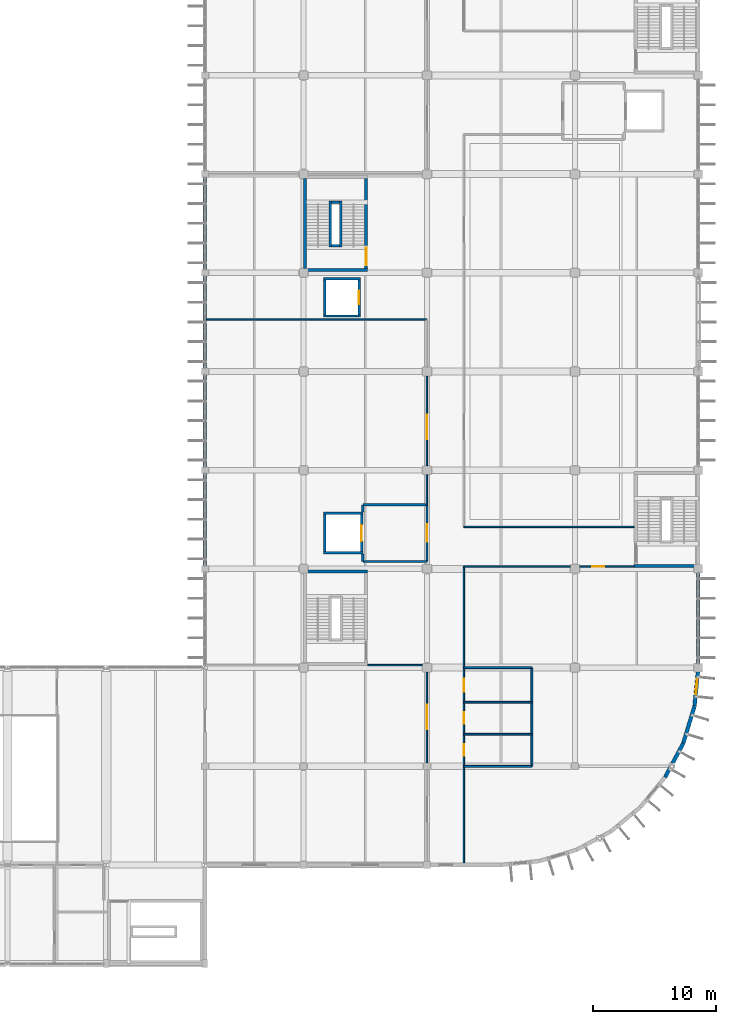
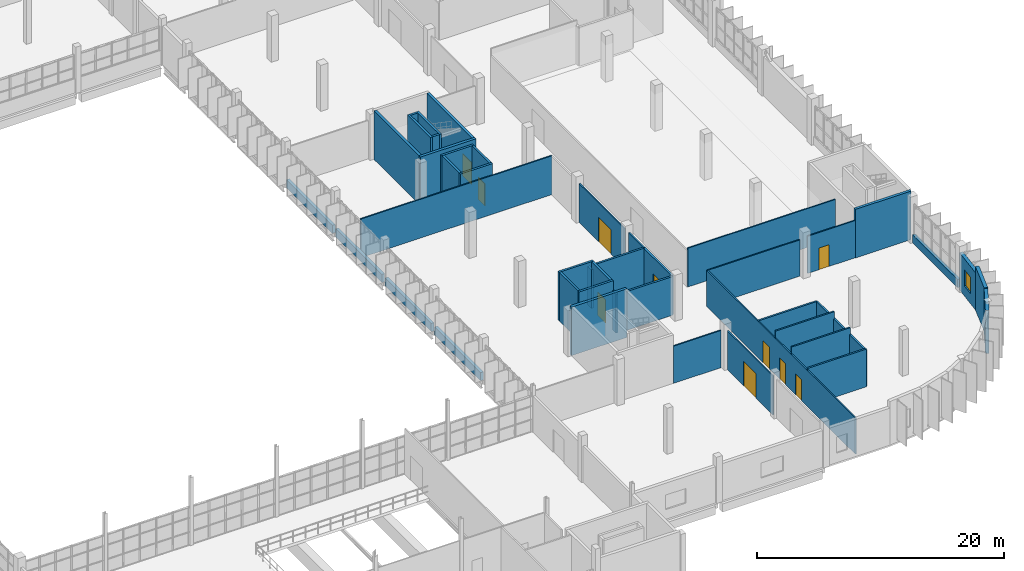
# One storey, part 74 of 93: 44 walls, 10 doors, 1 window, 11 openings.
"""IFC4 building model written with IfcOpenShell, lengths in metres."""

from ifc_helpers import new_model, si_unit, direction, frame, frame_2d, origin, place, context, subcontext, project, spatial, rectangle, extrude, material, layer, layer_set, type_object, element, fill, save


model = new_model("IFC4")

# Units and contexts
model_context = context("Model", 3, precision=1e-05, world=origin(), true_north=direction((0.0, 1.0)))
body_context = subcontext(model_context, "Body", "Model", "MODEL_VIEW")
ifc_project = project(units=[si_unit("LENGTHUNIT", "METRE"), si_unit("AREAUNIT", "SQUARE_METRE"), si_unit("VOLUMEUNIT", "CUBIC_METRE"), si_unit("PLANEANGLEUNIT", "RADIAN"), si_unit("MASSUNIT", "GRAM", prefix="KILO")], contexts=[model_context])

# Site, building, storey
site_placement = place(None, origin())
site = spatial("IfcSite", under=ifc_project, at=site_placement, CompositionType="ELEMENT")
building_placement = place(site_placement, origin())
building = spatial("IfcBuilding", under=site, at=building_placement, Name="Drelvana Railside Aquatics Centre", CompositionType="ELEMENT")
storey_placement = place(building_placement, frame((0.0, 0.0, 5.39990234375)))
storey = spatial("IfcBuildingStorey", under=building, at=storey_placement, Name="L01", CompositionType="ELEMENT", Elevation=5.39990234375)

# Walls
ifc_material_1 = material(Name="Concrete blockwork compartment wall", Category="masonry")
ifc_layer_1 = layer(ifc_material_1, 0.18505859375, Name="Concrete blockwork compartment wall")
ifc_layer_set_1 = layer_set([ifc_layer_1], Name="Concrete blockwork compartment wall")
wall_type_1 = type_object("IfcWallType", Name="WL-COMP-185", PredefinedType="STANDARD", material=ifc_layer_set_1)
for number, where, z_axis, x_axis, name in (
    (1, (162.0, 32.60009765625, 0.0), (0.0, 0.0, 1.0), (-1.0, 0.0, 0.0), "Firefighting lobby FL-01 S wall (L01)"),
    (2, (156.800048828125, 37.199951171875, 0.0), (0.0, 0.0, 1.0), (1.0, 0.0, 0.0), "Firefighting lobby FL-01 N wall (L01)"),
):
    element("IfcWall", number, at=place(storey_placement, frame(where, z_axis=z_axis, x_axis=x_axis)), inside=storey, type_object=wall_type_1, Name=name, PredefinedType="STANDARD", context=body_context, shape_type="SweptSolid", body=[
        extrude(rectangle(XDim=5.199951171875, YDim=0.18505859375, at=frame_2d((2.60009765625, 0.0))), origin(), (0.0, 0.0, 1.0), 3.830078125),
    ])

# Wall, opening, door
wall_1_placement = place(storey_placement, frame((162.0, 32.60009765625, 0.0), z_axis=(0.0, 0.0, 1.0), x_axis=(0.0, 1.0, 0.0)))
wall_1 = element("IfcWall", 3, at=wall_1_placement, inside=storey, type_object=wall_type_1, Name="Firefighting lobby FL-01 COR wall (L01)", PredefinedType="STANDARD", context=body_context, shape_type="SweptSolid", body=[
    extrude(rectangle(XDim=4.599853515625, YDim=0.18505859375, at=frame_2d((2.2998046875, 0.0))), origin(), (0.0, 0.0, 1.0), 3.830078125),
])
opening_1_placement = place(wall_1_placement, frame((1.60009765625, 0.0, 0.0)))
opening_1 = element("IfcOpeningElement", 4, at=opening_1_placement, cuts=wall_1, Name="Opening D-03-046", PredefinedType="OPENING", context=body_context, shape_type="SweptSolid", body=[
    extrude(rectangle(XDim=1.39990234375, YDim=2.199951171875, at=frame_2d((0.699951171875, 1.10009765625))), frame((0.0, 0.1025390625, 0.0), z_axis=(0.0, -1.0, 0.0), x_axis=(1.0, 0.0, 0.0)), (0.0, 0.0, 1.0), 0.205078125),
])
ifc_material_2 = material(Name="Firefighting lobby door", Category="wood")
door_type_1 = type_object("IfcDoorType", Name="DR-INT-FFLOB-1400x2200", OperationType="DOUBLE_DOOR_SINGLE_SWING", PredefinedType="DOOR", material=ifc_material_2)
door_1_placement = place(opening_1_placement, origin())
door_1 = element("IfcDoor", 5, at=door_1_placement, inside=storey, type_object=door_type_1, Name="Firefighting lobby FL-01 door D-03-046", OperationType="DOUBLE_DOOR_SINGLE_SWING", OverallHeight=2.199951171875, OverallWidth=1.39990234375, PredefinedType="DOOR", context=body_context, shape_type="SweptSolid", body=[
    extrude(rectangle(XDim=1.39990234375, YDim=2.199951171875, at=frame_2d((0.699951171875, 1.10009765625))), frame((0.0, 0.02490234375, 0.0), z_axis=(0.0, -1.0, 0.0), x_axis=(1.0, 0.0, 0.0)), (0.0, 0.0, 1.0), 0.050048828125),
])
fill(opening_1, door_1)

# Walls
for number, where, z_axis, x_axis, name in (
    (6, (156.800048828125, 32.60009765625, 0.0), (0.0, 0.0, 1.0), (0.0, 1.0, 0.0), "Firefighting lobby FL-01 SHS wall (L01)"),
    (7, (156.800048828125, 36.60009765625, 0.0), (0.0, 0.0, 1.0), (0.0, 1.0, 0.0), "Firefighting lobby FL-01 SHN wall (L01)"),
):
    element("IfcWall", number, at=place(storey_placement, frame(where, z_axis=z_axis, x_axis=x_axis)), inside=storey, type_object=wall_type_1, Name=name, PredefinedType="STANDARD", context=body_context, shape_type="SweptSolid", body=[
        extrude(rectangle(XDim=0.599853515625, YDim=0.18505859375, at=frame_2d((0.2998046875, 0.0))), origin(), (0.0, 0.0, 1.0), 3.830078125),
    ])
ifc_material_3 = material(Name="Concrete C40/50", Category="concrete")
ifc_layer_2 = layer(ifc_material_3, 0.25, Name="Concrete C40/50")
ifc_layer_set_2 = layer_set([ifc_layer_2], Name="Concrete C40/50")
wall_type_2 = type_object("IfcWallType", Name="WL-CORE-250", PredefinedType="SHEAR", material=ifc_layer_set_2)
for number, where, z_axis, x_axis, name in (
    (8, (152.0, 31.77490234375, 0.0), (0.0, 0.0, 1.0), (1.0, 0.0, 0.0), "Core 6 Federation Wing Court-West N core wall (L01)"),
    (9, (152.0, 56.22509765625, 0.0), (0.0, 0.0, 1.0), (1.0, 0.0, 0.0), "Core 8 Federation Wing Central-West S core wall (L01)"),
):
    element("IfcWall", number, at=place(storey_placement, frame(where, z_axis=z_axis, x_axis=x_axis)), inside=storey, type_object=wall_type_2, Name=name, PredefinedType="SHEAR", context=body_context, shape_type="SweptSolid", body=[
        extrude(rectangle(XDim=5.199951171875, YDim=0.25, at=frame_2d((2.60009765625, 0.0))), origin(), (0.0, 0.0, 1.0), 4.800048828125),
    ])
wall_2_placement = place(storey_placement, frame((152.125, 56.35009765625, 0.0), z_axis=(0.0, 0.0, 1.0), x_axis=(0.0, 1.0, 0.0)))
element("IfcWall", 10, at=wall_2_placement, inside=storey, type_object=wall_type_2, Name="Core 8 Federation Wing Central-West W core wall (L01)", PredefinedType="SHEAR", context=body_context, shape_type="SweptSolid", body=[
    extrude(rectangle(XDim=7.2998046875, YDim=0.25, at=frame_2d((3.64990234375, 0.0))), origin(), (0.0, 0.0, 1.0), 4.800048828125),
])

# Wall, opening, door
wall_3_placement = place(storey_placement, frame((157.074951171875, 56.35009765625, 0.0), z_axis=(0.0, 0.0, 1.0), x_axis=(0.0, 1.0, 0.0)))
wall_3 = element("IfcWall", 11, at=wall_3_placement, inside=storey, type_object=wall_type_2, Name="Core 8 Federation Wing Central-West E core wall (L01)", PredefinedType="SHEAR", context=body_context, shape_type="SweptSolid", body=[
    extrude(rectangle(XDim=7.2998046875, YDim=0.25, at=frame_2d((3.64990234375, 0.0))), origin(), (0.0, 0.0, 1.0), 4.800048828125),
])
opening_2_placement = place(wall_3_placement, frame((0.25, 0.0, 0.0)))
opening_2 = element("IfcOpeningElement", 12, at=opening_2_placement, cuts=wall_3, Name="Opening D-01-073", PredefinedType="OPENING", context=body_context, shape_type="SweptSolid", body=[
    extrude(rectangle(XDim=1.449951171875, YDim=2.199951171875, at=frame_2d((0.72509765625, 1.10009765625))), frame((0.0, 0.135009765625, 0.0), z_axis=(0.0, -1.0, 0.0), x_axis=(1.0, 0.0, 0.0)), (0.0, 0.0, 1.0), 0.27001953125),
])
ifc_material_4 = material(Name="Fire-rated steel and vision-panel door", Category="steel")
door_type_2 = type_object("IfcDoorType", Name="DR-INT-STAIR-1450x2200", OperationType="DOUBLE_DOOR_SINGLE_SWING", PredefinedType="DOOR", material=ifc_material_4)
door_2_placement = place(opening_2_placement, origin())
door_2 = element("IfcDoor", 13, at=door_2_placement, inside=storey, type_object=door_type_2, Name="Stair ST-08 lobby door D-01-073", OperationType="DOUBLE_DOOR_SINGLE_SWING", OverallHeight=2.199951171875, OverallWidth=1.449951171875, PredefinedType="DOOR", context=body_context, shape_type="SweptSolid", body=[
    extrude(rectangle(XDim=1.449951171875, YDim=2.199951171875, at=frame_2d((0.72509765625, 1.10009765625))), frame((0.0, 0.02490234375, 0.0), z_axis=(0.0, -1.0, 0.0), x_axis=(1.0, 0.0, 0.0)), (0.0, 0.0, 1.0), 0.050048828125),
])
fill(opening_2, door_2)

# Wall
wall_4_placement = place(storey_placement, frame((178.800048828125, 32.22509765625, 0.0), z_axis=(0.0, 0.0, 1.0), x_axis=(1.0, 0.0, 0.0)))
element("IfcWall", 14, at=wall_4_placement, inside=storey, type_object=wall_type_2, Name="Core 9 Federation Wing Avenue-South S core wall (L01)", PredefinedType="SHEAR", context=body_context, shape_type="SweptSolid", body=[
    extrude(rectangle(XDim=5.199951171875, YDim=0.25, at=frame_2d((2.60009765625, 0.0))), origin(), (0.0, 0.0, 1.0), 4.800048828125),
])

# Wall, opening, door
ifc_material_5 = material(Name="Acoustic twin-stud gypsum partition", Category="gypsum")
ifc_layer_3 = layer(ifc_material_5, 0.1201171875, Name="Acoustic twin-stud gypsum partition")
ifc_layer_set_3 = layer_set([ifc_layer_3], Name="Acoustic twin-stud gypsum partition")
wall_type_3 = type_object("IfcWallType", Name="WL-DRY-120", PredefinedType="PARTITIONING", material=ifc_layer_set_3)
wall_5_placement = place(storey_placement, frame((162.0, 16.277099609375, 0.0), z_axis=(0.0, 0.0, 1.0), x_axis=(0.0, 1.0, 0.0)))
wall_5 = element("IfcWall", 15, at=wall_5_placement, inside=storey, type_object=wall_type_3, Name="V5 L01 west corridor wall", PredefinedType="PARTITIONING", context=body_context, shape_type="SweptSolid", body=[
    extrude(rectangle(XDim=7.370849609375, YDim=0.1201171875, at=frame_2d((3.685546875, 0.0))), origin(), (0.0, 0.0, 1.0), 3.830078125),
])
opening_3_placement = place(wall_5_placement, frame((2.722900390625, 0.0, 0.0)))
opening_3 = element("IfcOpeningElement", 16, at=opening_3_placement, cuts=wall_5, Name="Opening D-06-211", PredefinedType="OPENING", context=body_context, shape_type="SweptSolid", body=[
    extrude(rectangle(XDim=2.0, YDim=2.39990234375, at=frame_2d((1.0, 1.199951171875))), frame((0.0, 0.070068359375, 0.0), z_axis=(0.0, -1.0, 0.0), x_axis=(1.0, 0.0, 0.0)), (0.0, 0.0, 1.0), 0.14013671875),
])
ifc_material_6 = material(Name="Glazed bronze-aluminium concourse door", Category="aluminium")
door_type_3 = type_object("IfcDoorType", Name="DR-INT-HALL-2000x2400", OperationType="DOUBLE_DOOR_SINGLE_SWING", PredefinedType="DOOR", material=ifc_material_6)
door_3_placement = place(opening_3_placement, origin())
door_3 = element("IfcDoor", 17, at=door_3_placement, inside=storey, type_object=door_type_3, Name="Cardio hall north door D-06-211", OperationType="DOUBLE_DOOR_SINGLE_SWING", OverallHeight=2.39990234375, OverallWidth=2.0, PredefinedType="DOOR", context=body_context, shape_type="SweptSolid", body=[
    extrude(rectangle(XDim=2.0, YDim=2.39990234375, at=frame_2d((1.0, 1.199951171875))), frame((0.0, 0.02490234375, 0.0), z_axis=(0.0, -1.0, 0.0), x_axis=(1.0, 0.0, 0.0)), (0.0, 0.0, 1.0), 0.050048828125),
])
fill(opening_3, door_3)

# Wall
wall_6_placement = place(storey_placement, frame((162.0, 37.199951171875, 0.0), z_axis=(0.0, 0.0, 1.0), x_axis=(0.0, 1.0, 0.0)))
element("IfcWall", 18, at=wall_6_placement, inside=storey, type_object=wall_type_3, Name="V5 L01 west corridor wall", PredefinedType="PARTITIONING", context=body_context, shape_type="SweptSolid", body=[
    extrude(rectangle(XDim=2.447998046875, YDim=0.1201171875, at=frame_2d((1.22412109375, 0.0))), origin(), (0.0, 0.0, 1.0), 3.830078125),
])

# Wall, opening, door
wall_7_placement = place(storey_placement, frame((162.0, 40.35205078125, 0.0), z_axis=(0.0, 0.0, 1.0), x_axis=(0.0, 1.0, 0.0)))
wall_7 = element("IfcWall", 19, at=wall_7_placement, inside=storey, type_object=wall_type_3, Name="V5 L01 west corridor wall", PredefinedType="PARTITIONING", context=body_context, shape_type="SweptSolid", body=[
    extrude(rectangle(XDim=7.2958984375, YDim=0.1201171875, at=frame_2d((3.64794921875, 0.0))), origin(), (0.0, 0.0, 1.0), 3.830078125),
])
opening_4_placement = place(wall_7_placement, frame((2.14794921875, 0.0, 0.0)))
opening_4 = element("IfcOpeningElement", 20, at=opening_4_placement, cuts=wall_7, Name="Opening D-06-212", PredefinedType="OPENING", context=body_context, shape_type="SweptSolid", body=[
    extrude(rectangle(XDim=2.0, YDim=2.39990234375, at=frame_2d((1.0, 1.199951171875))), frame((0.0, 0.070068359375, 0.0), z_axis=(0.0, -1.0, 0.0), x_axis=(1.0, 0.0, 0.0)), (0.0, 0.0, 1.0), 0.14013671875),
])
door_4_placement = place(opening_4_placement, origin())
door_4 = element("IfcDoor", 21, at=door_4_placement, inside=storey, type_object=door_type_3, Name="Spinning studio door D-06-212", OperationType="DOUBLE_DOOR_SINGLE_SWING", OverallHeight=2.39990234375, OverallWidth=2.0, PredefinedType="DOOR", context=body_context, shape_type="SweptSolid", body=[
    extrude(rectangle(XDim=2.0, YDim=2.39990234375, at=frame_2d((1.0, 1.199951171875))), frame((0.0, 0.02490234375, 0.0), z_axis=(0.0, -1.0, 0.0), x_axis=(1.0, 0.0, 0.0)), (0.0, 0.0, 1.0), 0.050048828125),
])
fill(opening_4, door_4)

# Walls
wall_8_placement = place(storey_placement, frame((157.205078125, 24.199951171875, 0.0), z_axis=(0.0, 0.0, 1.0), x_axis=(1.0, 0.0, 0.0)))
element("IfcWall", 22, at=wall_8_placement, inside=storey, type_object=wall_type_3, Name="V5 L01 C6 alcove SE wall", PredefinedType="PARTITIONING", context=body_context, shape_type="SweptSolid", body=[
    extrude(rectangle(XDim=4.44287109375, YDim=0.1201171875, at=frame_2d((2.221435546875, 0.0))), origin(), (0.0, 0.0, 1.0), 3.68017578125),
])
wall_9_placement = place(storey_placement, frame((144.14990234375, 52.199951171875, 0.0), z_axis=(0.0, 0.0, 1.0), x_axis=(1.0, 0.0, 0.0)))
element("IfcWall", 23, at=wall_9_placement, inside=storey, type_object=wall_type_3, Name="V5 L01 LP-04 alcove S wall", PredefinedType="PARTITIONING", context=body_context, shape_type="SweptSolid", body=[
    extrude(rectangle(XDim=17.85009765625, YDim=0.1201171875, at=frame_2d((8.925048828125, 0.0))), origin(), (0.0, 0.0, 1.0), 3.830078125),
])

# Wall, openings, doors
wall_10_placement = place(storey_placement, frame((165.0, 8.14990234375, 0.0), z_axis=(0.0, 0.0, 1.0), x_axis=(0.0, 1.0, 0.0)))
wall_10 = element("IfcWall", 24, at=wall_10_placement, inside=storey, type_object=wall_type_3, Name="V5 L01 east corridor wall", PredefinedType="PARTITIONING", context=body_context, shape_type="SweptSolid", body=[
    extrude(rectangle(XDim=24.050048828125, YDim=0.1201171875, at=frame_2d((12.02490234375, 0.0))), origin(), (0.0, 0.0, 1.0), 3.580078125),
])
opening_5_placement = place(wall_10_placement, frame((8.699951171875, 0.0, 0.0)))
opening_5 = element("IfcOpeningElement", 25, at=opening_5_placement, cuts=wall_10, Name="Opening D-11-216", PredefinedType="OPENING", context=body_context, shape_type="SweptSolid", body=[
    extrude(rectangle(XDim=0.919921875, YDim=2.10009765625, at=frame_2d((0.4599609375, 1.050048828125))), frame((0.0, 0.070068359375, 0.0), z_axis=(0.0, -1.0, 0.0), x_axis=(1.0, 0.0, 0.0)), (0.0, 0.0, 1.0), 0.14013671875),
])
opening_6_placement = place(wall_10_placement, frame((11.300048828125, 0.0, 0.0)))
opening_6 = element("IfcOpeningElement", 26, at=opening_6_placement, cuts=wall_10, Name="Opening D-11-217", PredefinedType="OPENING", context=body_context, shape_type="SweptSolid", body=[
    extrude(rectangle(XDim=0.919921875, YDim=2.10009765625, at=frame_2d((0.4599609375, 1.050048828125))), frame((0.0, 0.070068359375, 0.0), z_axis=(0.0, -1.0, 0.0), x_axis=(1.0, 0.0, 0.0)), (0.0, 0.0, 1.0), 0.14013671875),
])
opening_7_placement = place(wall_10_placement, frame((13.89990234375, 0.0, 0.0)))
opening_7 = element("IfcOpeningElement", 27, at=opening_7_placement, cuts=wall_10, Name="Opening D-12-218", PredefinedType="OPENING", context=body_context, shape_type="SweptSolid", body=[
    extrude(rectangle(XDim=1.050048828125, YDim=2.14990234375, at=frame_2d((0.52490234375, 1.074951171875))), frame((0.0, 0.070068359375, 0.0), z_axis=(0.0, -1.0, 0.0), x_axis=(1.0, 0.0, 0.0)), (0.0, 0.0, 1.0), 0.14013671875),
])
ifc_material_7 = material(Name="Accessible toilet outward-opening door", Category="wood")
door_type_4 = type_object("IfcDoorType", Name="DR-INT-AWC-1050x2150", OperationType="NOTDEFINED", PredefinedType="DOOR", material=ifc_material_7)
door_5_placement = place(opening_7_placement, origin())
door_5 = element("IfcDoor", 28, at=door_5_placement, inside=storey, type_object=door_type_4, Name="L01 Accessible WC door D-12-218", OperationType="SINGLE_SWING_LEFT", OverallHeight=2.14990234375, OverallWidth=1.050048828125, PredefinedType="DOOR", context=body_context, shape_type="SweptSolid", body=[
    extrude(rectangle(XDim=1.050048828125, YDim=2.14990234375, at=frame_2d((0.52490234375, 1.074951171875))), frame((0.0, 0.02490234375, 0.0), z_axis=(0.0, -1.0, 0.0), x_axis=(1.0, 0.0, 0.0)), (0.0, 0.0, 1.0), 0.050048828125),
])
fill(opening_7, door_5)
ifc_material_8 = material(Name="Moisture-resistant laminate WC door", Category="wood")
door_type_5 = type_object("IfcDoorType", Name="DR-INT-WC-920x2100", OperationType="NOTDEFINED", PredefinedType="DOOR", material=ifc_material_8)
door_6_placement = place(opening_5_placement, origin())
door_6 = element("IfcDoor", 29, at=door_6_placement, inside=storey, type_object=door_type_5, Name="L01 Male WC door D-11-216", OperationType="SINGLE_SWING_LEFT", OverallHeight=2.10009765625, OverallWidth=0.919921875, PredefinedType="DOOR", context=body_context, shape_type="SweptSolid", body=[
    extrude(rectangle(XDim=0.919921875, YDim=2.10009765625, at=frame_2d((0.4599609375, 1.050048828125))), frame((0.0, 0.02490234375, 0.0), z_axis=(0.0, -1.0, 0.0), x_axis=(1.0, 0.0, 0.0)), (0.0, 0.0, 1.0), 0.050048828125),
])
fill(opening_5, door_6)
door_7_placement = place(opening_6_placement, origin())
door_7 = element("IfcDoor", 30, at=door_7_placement, inside=storey, type_object=door_type_5, Name="L01 Female WC door D-11-217", OperationType="SINGLE_SWING_RIGHT", OverallHeight=2.10009765625, OverallWidth=0.919921875, PredefinedType="DOOR", context=body_context, shape_type="SweptSolid", body=[
    extrude(rectangle(XDim=0.919921875, YDim=2.10009765625, at=frame_2d((0.4599609375, 1.050048828125))), frame((0.0, 0.02490234375, 0.0), z_axis=(0.0, -1.0, 0.0), x_axis=(1.0, 0.0, 0.0)), (0.0, 0.0, 1.0), 0.050048828125),
])
fill(opening_6, door_7)

# Wall
wall_11_placement = place(storey_placement, frame((165.0, 32.199951171875, 0.0), z_axis=(0.0, 0.0, 1.0), x_axis=(1.0, 0.0, 0.0)))
element("IfcWall", 31, at=wall_11_placement, inside=storey, type_object=wall_type_3, Name="L01 C9 branch S wall", PredefinedType="PARTITIONING", context=body_context, shape_type="SweptSolid", body=[
    extrude(rectangle(XDim=8.64794921875, YDim=0.1201171875, at=frame_2d((4.323974609375, 0.0))), origin(), (0.0, 0.0, 1.0), 3.580078125),
])

# Wall, opening, door
wall_12_placement = place(storey_placement, frame((174.35205078125, 32.199951171875, 0.0), z_axis=(0.0, 0.0, 1.0), x_axis=(1.0, 0.0, 0.0)))
wall_12 = element("IfcWall", 32, at=wall_12_placement, inside=storey, type_object=wall_type_3, Name="L01 C9 branch S wall", PredefinedType="PARTITIONING", context=body_context, shape_type="SweptSolid", body=[
    extrude(rectangle(XDim=4.447998046875, YDim=0.1201171875, at=frame_2d((2.22412109375, 0.0))), origin(), (0.0, 0.0, 1.0), 3.68017578125),
])
opening_8_placement = place(wall_12_placement, frame((1.048095703125, 0.0, 0.0)))
opening_8 = element("IfcOpeningElement", 33, at=opening_8_placement, cuts=wall_12, Name="Opening D-10-222", PredefinedType="OPENING", context=body_context, shape_type="SweptSolid", body=[
    extrude(rectangle(XDim=0.949951171875, YDim=2.14990234375, at=frame_2d((0.47509765625, 1.074951171875))), frame((0.0, 0.070068359375, 0.0), z_axis=(0.0, -1.0, 0.0), x_axis=(1.0, 0.0, 0.0)), (0.0, 0.0, 1.0), 0.14013671875),
])
ifc_material_9 = material(Name="Timber veneer office door", Category="wood")
door_type_6 = type_object("IfcDoorType", Name="DR-INT-OFF-950x2150", OperationType="NOTDEFINED", PredefinedType="DOOR", material=ifc_material_9)
door_8_placement = place(opening_8_placement, origin())
door_8 = element("IfcDoor", 34, at=door_8_placement, inside=storey, type_object=door_type_6, Name="Physiotherapy assessment door D-10-222", OperationType="SINGLE_SWING_LEFT", OverallHeight=2.14990234375, OverallWidth=0.949951171875, PredefinedType="DOOR", context=body_context, shape_type="SweptSolid", body=[
    extrude(rectangle(XDim=0.949951171875, YDim=2.14990234375, at=frame_2d((0.47509765625, 1.074951171875))), frame((0.0, 0.02490234375, 0.0), z_axis=(0.0, -1.0, 0.0), x_axis=(1.0, 0.0, 0.0)), (0.0, 0.0, 1.0), 0.050048828125),
])
fill(opening_8, door_8)

# Walls
wall_13_placement = place(storey_placement, frame((165.0, 35.39990234375, 0.0), z_axis=(0.0, 0.0, 1.0), x_axis=(1.0, 0.0, 0.0)))
element("IfcWall", 35, at=wall_13_placement, inside=storey, type_object=wall_type_3, Name="L01 C9 branch N wall", PredefinedType="PARTITIONING", context=body_context, shape_type="SweptSolid", body=[
    extrude(rectangle(XDim=13.800048828125, YDim=0.1201171875, at=frame_2d((6.89990234375, 0.0))), origin(), (0.0, 0.0, 1.0), 3.830078125),
])
ifc_material_10 = material(Name="Glazed ceramic spandrel wall", Category="masonry")
ifc_layer_4 = layer(ifc_material_10, 0.27001953125, Name="Glazed ceramic spandrel wall")
ifc_layer_set_4 = layer_set([ifc_layer_4], Name="Glazed ceramic spandrel wall")
wall_type_4 = type_object("IfcWallType", Name="WL-EXT-270", PredefinedType="STANDARD", material=ifc_layer_set_4)
for number, where, z_axis, x_axis, name in (
    (36, (144.0, 32.27099609375, 0.0), (0.0, 0.0, 1.0), (0.0, 1.0, 0.0), "V5 West L01 sill spandrel"),
    (37, (144.0, 40.27099609375, 0.0), (0.0, 0.0, 1.0), (0.0, 1.0, 0.0), "V5 West L01 sill spandrel"),
    (38, (144.0, 48.27099609375, 0.0), (0.0, 0.0, 1.0), (0.0, 1.0, 0.0), "V5 West L01 sill spandrel"),
    (39, (144.0, 56.27099609375, 0.0), (0.0, 0.0, 1.0), (0.0, 1.0, 0.0), "V5 West L01 sill spandrel"),
):
    element("IfcWall", number, at=place(storey_placement, frame(where, z_axis=z_axis, x_axis=x_axis)), inside=storey, type_object=wall_type_4, Name=name, PredefinedType="STANDARD", context=body_context, shape_type="SweptSolid", body=[
        extrude(rectangle(XDim=7.4580078125, YDim=0.27001953125, at=frame_2d((3.72900390625, 0.0))), origin(), (0.0, 0.0, 1.0), 0.800048828125),
    ])
wall_14_placement = place(storey_placement, frame((184.0, 24.345947265625, 0.0), z_axis=(0.0, 0.0, 1.0), x_axis=(0.0, 1.0, 0.0)))
element("IfcWall", 40, at=wall_14_placement, inside=storey, type_object=wall_type_4, Name="V5 East L01 sill spandrel", PredefinedType="STANDARD", context=body_context, shape_type="SweptSolid", body=[
    extrude(rectangle(XDim=7.30810546875, YDim=0.27001953125, at=frame_2d((3.654052734375, 0.0))), origin(), (0.0, 0.0, 1.0), 0.800048828125),
])
ifc_material_11 = material(Name="Terracotta rainscreen masonry wall", Category="masonry")
ifc_layer_5 = layer(ifc_material_11, 0.31005859375, Name="Terracotta rainscreen masonry wall")
ifc_layer_set_5 = layer_set([ifc_layer_5], Name="Terracotta rainscreen masonry wall")
wall_type_5 = type_object("IfcWallType", Name="WL-EXT-310", PredefinedType="STANDARD", material=ifc_layer_set_5)
wall_15_placement = place(storey_placement, frame((181.303466796875, 15.11083984375, 0.0), z_axis=(0.0, 0.0, 1.0), x_axis=(0.471396060548, 0.881921625826, 0.0)))
element("IfcWall", 41, at=wall_15_placement, inside=storey, type_object=wall_type_5, Name="V5SE curved wall 6", PredefinedType="STANDARD", context=body_context, shape_type="SweptSolid", body=[
    extrude(rectangle(XDim=3.136474609375, YDim=0.31005859375, at=frame_2d((1.568359375, 0.0))), origin(), (0.0, 0.0, 1.0), 4.22998046875),
])
wall_16_placement = place(storey_placement, frame((182.781982421875, 17.876953125, 0.0), z_axis=(0.0, 0.0, 1.0), x_axis=(0.29030980253, 0.956932713703, 0.0)))
element("IfcWall", 42, at=wall_16_placement, inside=storey, type_object=wall_type_5, Name="V5SE curved wall 7", PredefinedType="STANDARD", context=body_context, shape_type="SweptSolid", body=[
    extrude(rectangle(XDim=3.13671875, YDim=0.31005859375, at=frame_2d((1.568359375, 0.0))), origin(), (0.0, 0.0, 1.0), 4.300048828125),
])

# Wall, opening, window
wall_17_placement = place(storey_placement, frame((183.692626953125, 20.878662109375, 0.0), z_axis=(0.0, 0.0, 1.0), x_axis=(0.098000751113, 0.995186340733, 0.0)))
wall_17 = element("IfcWall", 43, at=wall_17_placement, inside=storey, type_object=wall_type_5, Name="V5SE curved wall 8", PredefinedType="STANDARD", context=body_context, shape_type="SweptSolid", body=[
    extrude(rectangle(XDim=3.136474609375, YDim=0.31005859375, at=frame_2d((1.568359375, 0.0))), origin(), (0.0, 0.0, 1.0), 3.68017578125),
])
opening_9_placement = place(wall_17_placement, frame((0.96826171875, 0.0, 1.0)))
opening_9 = element("IfcOpeningElement", 44, at=opening_9_placement, cuts=wall_17, Name="Opening W-10", PredefinedType="OPENING", context=body_context, shape_type="SweptSolid", body=[
    extrude(rectangle(XDim=1.199951171875, YDim=1.60009765625, at=frame_2d((0.60009765625, 0.800048828125))), frame((0.0, 0.1650390625, 0.0), z_axis=(0.0, -1.0, 0.0), x_axis=(1.0, 0.0, 0.0)), (0.0, 0.0, 1.0), 0.330078125),
])
ifc_material_12 = material(Name="Double-glazed solar-control aluminium window", Category="aluminium")
window_type = type_object("IfcWindowType", Name="WIN-10", PartitioningType="SINGLE_PANEL", PredefinedType="WINDOW", material=ifc_material_12)
window_placement = place(opening_9_placement, origin())
window = element("IfcWindow", 45, at=window_placement, inside=storey, type_object=window_type, Name="V5SE curved window WIN-10", OverallHeight=1.60009765625, OverallWidth=1.199951171875, PartitioningType="SINGLE_PANEL", PredefinedType="WINDOW", context=body_context, shape_type="SweptSolid", body=[
    extrude(rectangle(XDim=1.199951171875, YDim=1.60009765625, at=frame_2d((0.60009765625, 0.800048828125))), frame((0.0, 0.030029296875, 0.0), z_axis=(0.0, -1.0, 0.0), x_axis=(1.0, 0.0, 0.0)), (0.0, 0.0, 1.0), 0.06005859375),
])
fill(opening_9, window)

# Walls
ifc_layer_6 = layer(ifc_material_3, 0.199951171875, Name="Concrete C40/50")
ifc_layer_set_6 = layer_set([ifc_layer_6], Name="Concrete C40/50")
wall_type_6 = type_object("IfcWallType", Name="WL-SHFT-200", PredefinedType="SHEAR", material=ifc_layer_set_6)
for number, where, z_axis, x_axis, name in (
    (46, (153.60009765625, 33.300048828125, 0.0), (0.0, 0.0, 1.0), (1.0, 0.0, 0.0), "Lift FL-01 S shaft wall (L01)"),
    (47, (153.60009765625, 36.5, 0.0), (0.0, 0.0, 1.0), (1.0, 0.0, 0.0), "Lift FL-01 N shaft wall (L01)"),
):
    element("IfcWall", number, at=place(storey_placement, frame(where, z_axis=z_axis, x_axis=x_axis)), inside=storey, type_object=wall_type_6, Name=name, PredefinedType="SHEAR", context=body_context, shape_type="SweptSolid", body=[
        extrude(rectangle(XDim=3.199951171875, YDim=0.199951171875, at=frame_2d((1.60009765625, 0.0))), origin(), (0.0, 0.0, 1.0), 4.800048828125),
    ])
wall_18_placement = place(storey_placement, frame((153.699951171875, 33.39990234375, 0.0), z_axis=(0.0, 0.0, 1.0), x_axis=(0.0, 1.0, 0.0)))
element("IfcWall", 48, at=wall_18_placement, inside=storey, type_object=wall_type_6, Name="Lift FL-01 W shaft wall (L01)", PredefinedType="SHEAR", context=body_context, shape_type="SweptSolid", body=[
    extrude(rectangle(XDim=3.0, YDim=0.199951171875, at=frame_2d((1.5, 0.0))), origin(), (0.0, 0.0, 1.0), 4.800048828125),
])

# Wall, opening, door
wall_19_placement = place(storey_placement, frame((156.699951171875, 33.39990234375, 0.0), z_axis=(0.0, 0.0, 1.0), x_axis=(0.0, 1.0, 0.0)))
wall_19 = element("IfcWall", 49, at=wall_19_placement, inside=storey, type_object=wall_type_6, Name="Lift FL-01 E shaft wall (L01)", PredefinedType="SHEAR", context=body_context, shape_type="SweptSolid", body=[
    extrude(rectangle(XDim=3.0, YDim=0.199951171875, at=frame_2d((1.5, 0.0))), origin(), (0.0, 0.0, 1.0), 4.800048828125),
])
opening_10_placement = place(wall_19_placement, frame((0.85009765625, 0.0, 0.0)))
opening_10 = element("IfcOpeningElement", 50, at=opening_10_placement, cuts=wall_19, Name="Opening LD-02-045", PredefinedType="OPENING", context=body_context, shape_type="SweptSolid", body=[
    extrude(rectangle(XDim=1.300048828125, YDim=2.300048828125, at=frame_2d((0.64990234375, 1.14990234375))), frame((0.0, 0.10986328125, 0.0), z_axis=(0.0, -1.0, 0.0), x_axis=(1.0, 0.0, 0.0)), (0.0, 0.0, 1.0), 0.219970703125),
])
ifc_material_13 = material(Name="Firefighting & goods lift sliding door", Category="wood")
door_type_7 = type_object("IfcDoorType", Name="DR-LIFT-LD-1300x2300", OperationType="SLIDING_TO_RIGHT", PredefinedType="DOOR", material=ifc_material_13)
door_9_placement = place(opening_10_placement, origin())
door_9 = element("IfcDoor", 51, at=door_9_placement, inside=storey, type_object=door_type_7, Name="Lift FL-01 landing door LD-02-045", OperationType="SLIDING_TO_RIGHT", OverallHeight=2.300048828125, OverallWidth=1.300048828125, PredefinedType="DOOR", context=body_context, shape_type="SweptSolid", body=[
    extrude(rectangle(XDim=1.300048828125, YDim=2.300048828125, at=frame_2d((0.64990234375, 1.14990234375))), frame((0.0, 0.02490234375, 0.0), z_axis=(0.0, -1.0, 0.0), x_axis=(1.0, 0.0, 0.0)), (0.0, 0.0, 1.0), 0.050048828125),
])
fill(opening_10, door_9)

# Walls
for number, where, z_axis, x_axis, name in (
    (52, (154.169921875, 58.090087890625, 0.0), (0.0, 0.0, 1.0), (0.0, 1.0, 0.0), "Stair ST-08 central spine wall A (L01)"),
    (53, (155.030029296875, 58.090087890625, 0.0), (0.0, 0.0, 1.0), (0.0, 1.0, 0.0), "Stair ST-08 central spine wall B (L01)"),
):
    element("IfcWall", number, at=place(storey_placement, frame(where, z_axis=z_axis, x_axis=x_axis)), inside=storey, type_object=wall_type_6, Name=name, PredefinedType="SHEAR", context=body_context, shape_type="SweptSolid", body=[
        extrude(rectangle(XDim=3.719970703125, YDim=0.199951171875, at=frame_2d((1.85986328125, 0.0))), origin(), (0.0, 0.0, 1.0), 4.800048828125),
    ])
for number, where, z_axis, x_axis, name in (
    (54, (154.27001953125, 58.18994140625, 0.0), (0.0, 0.0, 1.0), (1.0, 0.0, 0.0), "Stair ST-08 central spine wall S (L01)"),
    (55, (154.27001953125, 61.7099609375, 0.0), (0.0, 0.0, 1.0), (1.0, 0.0, 0.0), "Stair ST-08 central spine wall N (L01)"),
):
    element("IfcWall", number, at=place(storey_placement, frame(where, z_axis=z_axis, x_axis=x_axis)), inside=storey, type_object=wall_type_6, Name=name, PredefinedType="SHEAR", context=body_context, shape_type="SweptSolid", body=[
        extrude(rectangle(XDim=0.659912109375, YDim=0.199951171875, at=frame_2d((0.330078125, 0.0))), origin(), (0.0, 0.0, 1.0), 4.800048828125),
    ])
for number, where, z_axis, x_axis, name in (
    (56, (153.60009765625, 52.5, 0.0), (0.0, 0.0, 1.0), (1.0, 0.0, 0.0), "Lift LP-04 S shaft wall (L01)"),
    (57, (153.60009765625, 55.5, 0.0), (0.0, 0.0, 1.0), (1.0, 0.0, 0.0), "Lift LP-04 N shaft wall (L01)"),
):
    element("IfcWall", number, at=place(storey_placement, frame(where, z_axis=z_axis, x_axis=x_axis)), inside=storey, type_object=wall_type_6, Name=name, PredefinedType="SHEAR", context=body_context, shape_type="SweptSolid", body=[
        extrude(rectangle(XDim=3.0, YDim=0.199951171875, at=frame_2d((1.5, 0.0))), origin(), (0.0, 0.0, 1.0), 4.800048828125),
    ])
wall_20_placement = place(storey_placement, frame((153.699951171875, 52.60009765625, 0.0), z_axis=(0.0, 0.0, 1.0), x_axis=(0.0, 1.0, 0.0)))
element("IfcWall", 58, at=wall_20_placement, inside=storey, type_object=wall_type_6, Name="Lift LP-04 W shaft wall (L01)", PredefinedType="SHEAR", context=body_context, shape_type="SweptSolid", body=[
    extrude(rectangle(XDim=2.7998046875, YDim=0.199951171875, at=frame_2d((1.39990234375, 0.0))), origin(), (0.0, 0.0, 1.0), 4.800048828125),
])

# Wall, opening, door
wall_21_placement = place(storey_placement, frame((156.5, 52.60009765625, 0.0), z_axis=(0.0, 0.0, 1.0), x_axis=(0.0, 1.0, 0.0)))
wall_21 = element("IfcWall", 59, at=wall_21_placement, inside=storey, type_object=wall_type_6, Name="Lift LP-04 E shaft wall (L01)", PredefinedType="SHEAR", context=body_context, shape_type="SweptSolid", body=[
    extrude(rectangle(XDim=2.7998046875, YDim=0.199951171875, at=frame_2d((1.39990234375, 0.0))), origin(), (0.0, 0.0, 1.0), 4.800048828125),
])
opening_11_placement = place(wall_21_placement, frame((0.85009765625, 0.0, 0.0)))
opening_11 = element("IfcOpeningElement", 60, at=opening_11_placement, cuts=wall_21, Name="Opening LD-01-079", PredefinedType="OPENING", context=body_context, shape_type="SweptSolid", body=[
    extrude(rectangle(XDim=1.10009765625, YDim=2.199951171875, at=frame_2d((0.550048828125, 1.10009765625))), frame((0.0, 0.10986328125, 0.0), z_axis=(0.0, -1.0, 0.0), x_axis=(1.0, 0.0, 0.0)), (0.0, 0.0, 1.0), 0.219970703125),
])
ifc_material_14 = material(Name="Stainless steel lift landing sliding door", Category="steel")
door_type_8 = type_object("IfcDoorType", Name="DR-LIFT-LD-1100x2200", OperationType="SLIDING_TO_LEFT", PredefinedType="DOOR", material=ifc_material_14)
door_10_placement = place(opening_11_placement, origin())
door_10 = element("IfcDoor", 61, at=door_10_placement, inside=storey, type_object=door_type_8, Name="Lift LP-04 landing door LD-01-079", OperationType="SLIDING_TO_LEFT", OverallHeight=2.199951171875, OverallWidth=1.10009765625, PredefinedType="DOOR", context=body_context, shape_type="SweptSolid", body=[
    extrude(rectangle(XDim=1.10009765625, YDim=2.199951171875, at=frame_2d((0.550048828125, 1.10009765625))), frame((0.0, 0.02490234375, 0.0), z_axis=(0.0, -1.0, 0.0), x_axis=(1.0, 0.0, 0.0)), (0.0, 0.0, 1.0), 0.050048828125),
])
fill(opening_11, door_10)

# Walls
ifc_material_15 = material(Name="Moisture-resistant tiled plumbing chase wall", Category="masonry")
ifc_layer_7 = layer(ifc_material_15, 0.139892578125, Name="Moisture-resistant tiled plumbing chase wall")
ifc_layer_set_7 = layer_set([ifc_layer_7], Name="Moisture-resistant tiled plumbing chase wall")
wall_type_7 = type_object("IfcWallType", Name="WL-WET-140", PredefinedType="PLUMBINGWALL", material=ifc_layer_set_7)
for number, where, z_axis, x_axis, name in (
    (62, (165.0, 18.60009765625, 0.0), (0.0, 0.0, 1.0), (1.0, 0.0, 0.0), "L01 WC divider 1"),
    (63, (165.0, 21.199951171875, 0.0), (0.0, 0.0, 1.0), (1.0, 0.0, 0.0), "L01 WC divider 2"),
):
    element("IfcWall", number, at=place(storey_placement, frame(where, z_axis=z_axis, x_axis=x_axis)), inside=storey, type_object=wall_type_7, Name=name, PredefinedType="PLUMBINGWALL", context=body_context, shape_type="SweptSolid", body=[
        extrude(rectangle(XDim=5.5, YDim=0.139892578125, at=frame_2d((2.75, 0.0))), origin(), (0.0, 0.0, 1.0), 4.260009765625),
    ])
ifc_material_16 = material(Name="Water-resistant ceramic-tiled block partition", Category="masonry")
ifc_layer_8 = layer(ifc_material_16, 0.159912109375, Name="Water-resistant ceramic-tiled block partition")
ifc_layer_set_8 = layer_set([ifc_layer_8], Name="Water-resistant ceramic-tiled block partition")
wall_type_8 = type_object("IfcWallType", Name="WL-WET-160", PredefinedType="PARTITIONING", material=ifc_layer_set_8)
wall_22_placement = place(storey_placement, frame((170.5, 16.0, 0.0), z_axis=(0.0, 0.0, 1.0), x_axis=(0.0, 1.0, 0.0)))
element("IfcWall", 64, at=wall_22_placement, inside=storey, type_object=wall_type_8, Name="L01 WC back wall", PredefinedType="PARTITIONING", context=body_context, shape_type="SweptSolid", body=[
    extrude(rectangle(XDim=8.0, YDim=0.159912109375, at=frame_2d((4.0, 0.0))), origin(), (0.0, 0.0, 1.0), 3.580078125),
])
wall_23_placement = place(storey_placement, frame((165.0, 16.0, 0.0), z_axis=(0.0, 0.0, 1.0), x_axis=(1.0, 0.0, 0.0)))
element("IfcWall", 65, at=wall_23_placement, inside=storey, type_object=wall_type_8, Name="L01 WC south wall", PredefinedType="PARTITIONING", context=body_context, shape_type="SweptSolid", body=[
    extrude(rectangle(XDim=5.5, YDim=0.159912109375, at=frame_2d((2.75, 0.0))), origin(), (0.0, 0.0, 1.0), 3.72998046875),
])
wall_24_placement = place(storey_placement, frame((165.0, 24.0, 0.0), z_axis=(0.0, 0.0, 1.0), x_axis=(1.0, 0.0, 0.0)))
element("IfcWall", 66, at=wall_24_placement, inside=storey, type_object=wall_type_8, Name="L01 WC north wall", PredefinedType="PARTITIONING", context=body_context, shape_type="SweptSolid", body=[
    extrude(rectangle(XDim=5.5, YDim=0.159912109375, at=frame_2d((2.75, 0.0))), origin(), (0.0, 0.0, 1.0), 3.580078125),
])

save(model, "model.ifc")
